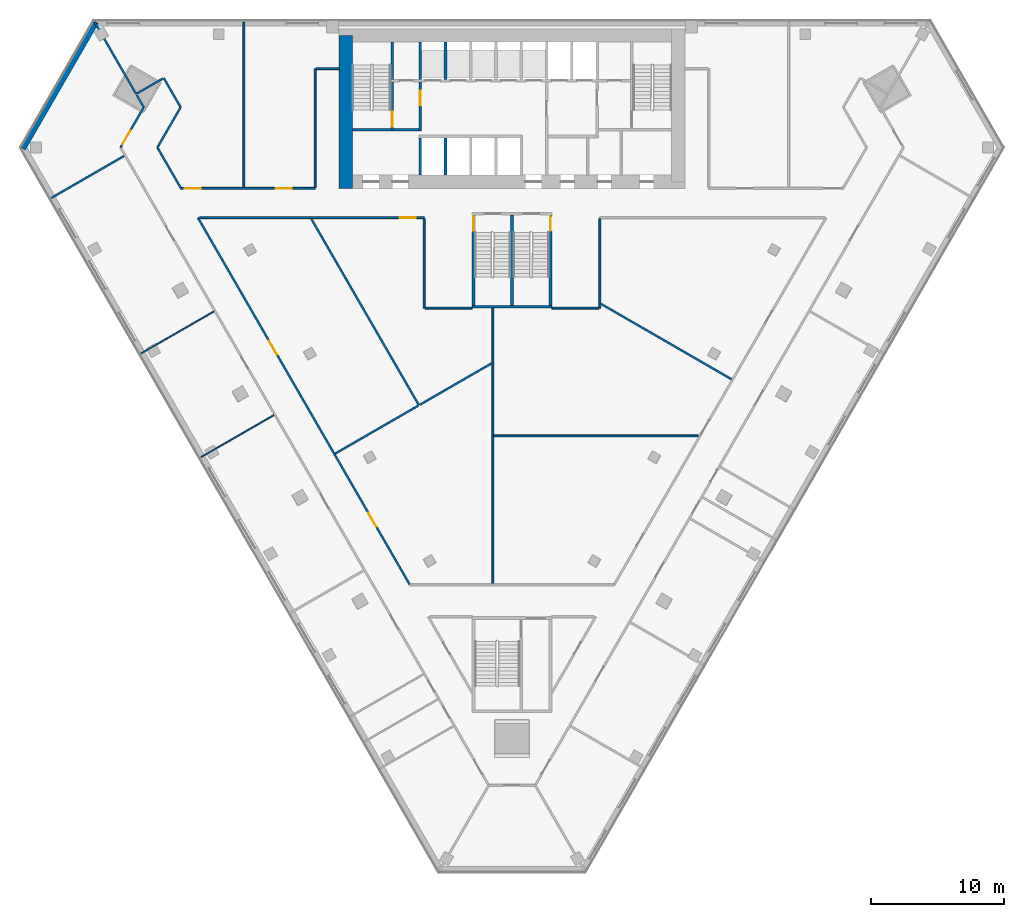
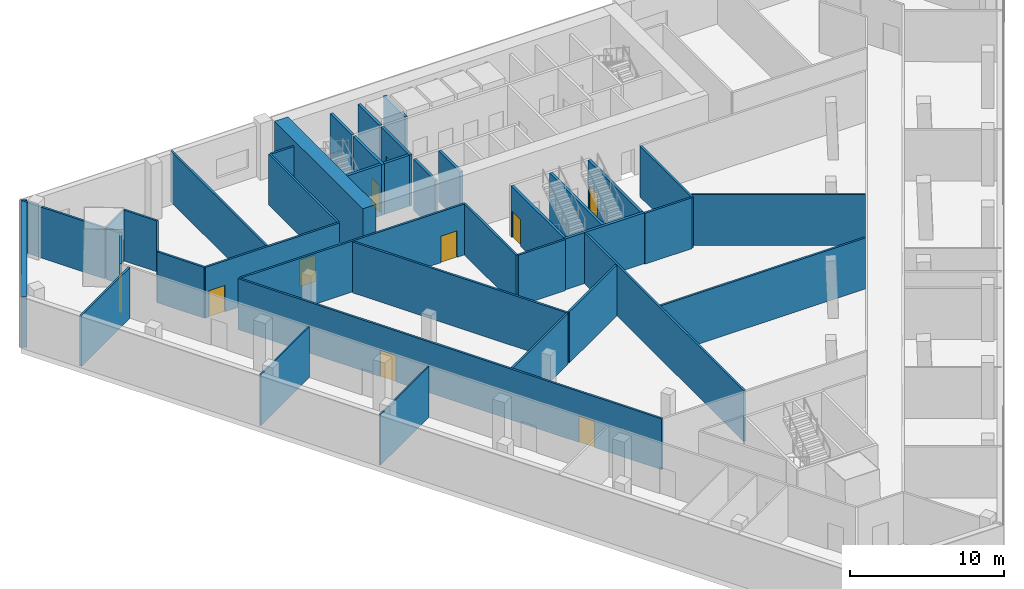
# One storey, part 4 of 9: 41 walls, 10 doors, 10 openings.
"""IFC4 building model written with IfcOpenShell, lengths in metres."""

from ifc_helpers import new_model, si_unit, direction, frame, frame_2d, origin, place, context, subcontext, project, spatial, rectangle, extrude, material, layer, layer_set, type_object, element, fill, save


model = new_model("IFC4")

# Units and contexts
model_context = context("Model", 3, precision=1e-05, world=origin(), true_north=direction((0.0, 1.0)))
body_context = subcontext(model_context, "Body", "Model", "MODEL_VIEW")
ifc_project = project(units=[si_unit("LENGTHUNIT", "METRE"), si_unit("AREAUNIT", "SQUARE_METRE"), si_unit("VOLUMEUNIT", "CUBIC_METRE"), si_unit("PLANEANGLEUNIT", "RADIAN"), si_unit("MASSUNIT", "GRAM", prefix="KILO")], contexts=[model_context])

# Site, building, storey
site_placement = place(None, origin())
site = spatial("IfcSite", under=ifc_project, at=site_placement, CompositionType="ELEMENT")
building_placement = place(site_placement, origin())
building = spatial("IfcBuilding", under=site, at=building_placement, Name="Altiplano Prism Tower", CompositionType="ELEMENT")
storey_placement = place(building_placement, frame((0.0, 0.0, 9.0)))
storey = spatial("IfcBuildingStorey", under=building, at=storey_placement, Name="L01", CompositionType="ELEMENT", Elevation=9.0)

# Walls
ifc_material_1 = material(Name="Concrete C70/85", Category="concrete")
ifc_layer_1 = layer(ifc_material_1, 1.0)
ifc_layer_set_1 = layer_set([ifc_layer_1], Name="Concrete C70/85")
wall_type_1 = type_object("IfcWallType", Name="Core wall 1000", PredefinedType="SHEAR", material=ifc_layer_set_1)
wall_1_placement = place(storey_placement, frame((72.5, 103.89990234375, 0.0), z_axis=(0.0, 0.0, 1.0), x_axis=(0.0, -1.0, 0.0)))
element("IfcWall", 1, at=wall_1_placement, inside=storey, type_object=wall_type_1, Name="Core wall W L01", PredefinedType="SHEAR", context=body_context, shape_type="SweptSolid", body=[
    extrude(rectangle(XDim=11.5, YDim=1.0, at=frame_2d((5.75, 0.0))), origin(), (0.0, 0.0, 1.0), 4.5),
])
ifc_material_2 = material(Name="Plasterboard on steel stud", Category="steel")
ifc_layer_2 = layer(ifc_material_2, 0.10009765625)
ifc_layer_set_2 = layer_set([ifc_layer_2], Name="Plasterboard on steel stud")
wall_type_2 = type_object("IfcWallType", Name="Partition 100 wet", PredefinedType="PARTITIONING", material=ifc_layer_set_2)
for number, where, z_axis, x_axis, name in (
    (2, (57.118896484375, 79.991455078125, 0.0), (0.0, 0.0, 1.0), (0.866042250622, 0.499970819286, 0.0), "Partition P03 L01 037"),
    (3, (61.618896484375, 72.197021484375, 0.0), (0.0, 0.0, 1.0), (0.866025537322, 0.499999768706, 0.0), "Partition P03 L01 038"),
):
    element("IfcWall", number, at=place(storey_placement, frame(where, z_axis=z_axis, x_axis=x_axis)), inside=storey, type_object=wall_type_2, Name=name, PredefinedType="PARTITIONING", context=body_context, shape_type="SweptSolid", body=[
        extrude(rectangle(XDim=6.3251953125, YDim=0.10009765625, at=frame_2d((3.16259765625, 0.0))), origin(), (0.0, 0.0, 1.0), 4.050048828125),
    ])
ifc_layer_3 = layer(ifc_material_2, 0.14990234375)
ifc_layer_set_3 = layer_set([ifc_layer_3], Name="Plasterboard on steel stud")
wall_type_3 = type_object("IfcWallType", Name="Partition 150 corridor", PredefinedType="PARTITIONING", material=ifc_layer_set_3)
wall_2_placement = place(storey_placement, frame((56.777587890625, 99.43505859375, 0.0), z_axis=(0.0, 0.0, 1.0), x_axis=(0.500126914667, -0.865952117167, 0.0)))
element("IfcWall", 4, at=wall_2_placement, inside=storey, type_object=wall_type_3, Name="Partition P06 L01 001", PredefinedType="PARTITIONING", context=body_context, shape_type="SweptSolid", body=[
    extrude(rectangle(XDim=1.079833984375, YDim=0.14990234375, at=frame_2d((0.5400390625, 0.0))), origin(), (0.0, 0.0, 1.0), 4.050048828125),
])

# Wall, opening, door
wall_3_placement = place(storey_placement, frame((57.317626953125, 98.5, 0.0), z_axis=(0.0, 0.0, 1.0), x_axis=(-0.500008701212, -0.866020380079, 0.0)))
wall_3 = element("IfcWall", 5, at=wall_3_placement, inside=storey, type_object=wall_type_3, Name="Partition P06 L01 002", PredefinedType="PARTITIONING", context=body_context, shape_type="SweptSolid", body=[
    extrude(rectangle(XDim=3.49462890625, YDim=0.14990234375, at=frame_2d((1.747314453125, 0.0))), origin(), (0.0, 0.0, 1.0), 4.050048828125),
])
opening_1_placement = place(wall_3_placement, frame((2.009033203125, 0.0, 0.0)))
opening_1 = element("IfcOpeningElement", 6, at=opening_1_placement, cuts=wall_3, Name="Opening D0022", PredefinedType="OPENING", context=body_context, shape_type="SweptSolid", body=[
    extrude(rectangle(XDim=1.199951171875, YDim=2.10009765625, at=frame_2d((0.60009765625, 1.050048828125))), frame((0.0, 0.08544921875, 0.0), z_axis=(0.0, -1.0, 0.0), x_axis=(1.0, 0.0, 0.0)), (0.0, 0.0, 1.0), 0.1708984375),
])
ifc_material_3 = material(Name="Timber", Category="wood")
door_type_1 = type_object("IfcDoorType", Name="Shared room door 1200 x 2100", OperationType="NOTDEFINED", PredefinedType="NOTDEFINED", material=ifc_material_3)
door_1_placement = place(opening_1_placement, origin())
door_1 = element("IfcDoor", 7, at=door_1_placement, inside=storey, type_object=door_type_1, Name="Door D0022", OperationType="SINGLE_SWING_RIGHT", OverallHeight=2.10009765625, OverallWidth=1.199951171875, PredefinedType="NOTDEFINED", context=body_context, shape_type="SweptSolid", body=[
    extrude(rectangle(XDim=1.199951171875, YDim=2.10009765625, at=frame_2d((0.60009765625, 1.050048828125))), frame((0.0, 0.02490234375, 0.0), z_axis=(0.0, -1.0, 0.0), x_axis=(1.0, 0.0, 0.0)), (0.0, 0.0, 1.0), 0.050048828125),
])
fill(opening_1, door_1)

# Walls
wall_4_placement = place(storey_placement, frame((88.0, 83.39990234375, 0.0), z_axis=(0.0, 0.0, 1.0), x_axis=(1.0, 0.0, 0.0)))
element("IfcWall", 8, at=wall_4_placement, inside=storey, type_object=wall_type_3, Name="Partition P06 L01 008", PredefinedType="PARTITIONING", context=body_context, shape_type="SweptSolid", body=[
    extrude(rectangle(XDim=3.52490234375, YDim=0.14990234375, at=frame_2d((1.762451171875, 0.0))), origin(), (0.0, 0.0, 1.0), 4.050048828125),
])
wall_5_placement = place(storey_placement, frame((91.60009765625, 83.39990234375, 0.0), z_axis=(0.0, 0.0, 1.0), x_axis=(0.0, 1.0, 0.0)))
element("IfcWall", 9, at=wall_5_placement, inside=storey, type_object=wall_type_3, Name="Partition P06 L01 011", PredefinedType="PARTITIONING", context=body_context, shape_type="SweptSolid", body=[
    extrude(rectangle(XDim=6.72509765625, YDim=0.14990234375, at=frame_2d((3.362548828125, 0.0))), origin(), (0.0, 0.0, 1.0), 4.050048828125),
])

# Wall, openings, doors
wall_6_placement = place(storey_placement, frame((77.3212890625, 62.60009765625, 0.0), z_axis=(0.0, 0.0, 1.0), x_axis=(-0.500000743568, 0.866024974485, 0.0)))
wall_6 = element("IfcWall", 10, at=wall_6_placement, inside=storey, type_object=wall_type_3, Name="Partition P06 L01 013", PredefinedType="PARTITIONING", context=body_context, shape_type="SweptSolid", body=[
    extrude(rectangle(XDim=31.86962890625, YDim=0.14990234375, at=frame_2d((15.934814453125, 0.0))), origin(), (0.0, 0.0, 1.0), 4.050048828125),
])
opening_2_placement = place(wall_6_placement, frame((19.989013671875, 0.0, 0.0)))
opening_2 = element("IfcOpeningElement", 11, at=opening_2_placement, cuts=wall_6, Name="Opening D0042", PredefinedType="OPENING", context=body_context, shape_type="SweptSolid", body=[
    extrude(rectangle(XDim=1.199951171875, YDim=2.10009765625, at=frame_2d((0.60009765625, 1.050048828125))), frame((0.0, 0.08544921875, 0.0), z_axis=(0.0, -1.0, 0.0), x_axis=(1.0, 0.0, 0.0)), (0.0, 0.0, 1.0), 0.1708984375),
])
opening_3_placement = place(wall_6_placement, frame((5.034912109375, 0.0, 0.0)))
opening_3 = element("IfcOpeningElement", 12, at=opening_3_placement, cuts=wall_6, Name="Opening D0043", PredefinedType="OPENING", context=body_context, shape_type="SweptSolid", body=[
    extrude(rectangle(XDim=1.199951171875, YDim=2.10009765625, at=frame_2d((0.60009765625, 1.050048828125))), frame((0.0, 0.08544921875, 0.0), z_axis=(0.0, -1.0, 0.0), x_axis=(1.0, 0.0, 0.0)), (0.0, 0.0, 1.0), 0.1708984375),
])
door_2_placement = place(opening_2_placement, origin())
door_2 = element("IfcDoor", 13, at=door_2_placement, inside=storey, type_object=door_type_1, Name="Door D0042", OperationType="SINGLE_SWING_LEFT", OverallHeight=2.10009765625, OverallWidth=1.199951171875, PredefinedType="NOTDEFINED", context=body_context, shape_type="SweptSolid", body=[
    extrude(rectangle(XDim=1.199951171875, YDim=2.10009765625, at=frame_2d((0.60009765625, 1.050048828125))), frame((0.0, 0.02490234375, 0.0), z_axis=(0.0, -1.0, 0.0), x_axis=(1.0, 0.0, 0.0)), (0.0, 0.0, 1.0), 0.050048828125),
])
fill(opening_2, door_2)
door_3_placement = place(opening_3_placement, origin())
door_3 = element("IfcDoor", 14, at=door_3_placement, inside=storey, type_object=door_type_1, Name="Door D0043", OperationType="SINGLE_SWING_LEFT", OverallHeight=2.10009765625, OverallWidth=1.199951171875, PredefinedType="NOTDEFINED", context=body_context, shape_type="SweptSolid", body=[
    extrude(rectangle(XDim=1.199951171875, YDim=2.10009765625, at=frame_2d((0.60009765625, 1.050048828125))), frame((0.0, 0.02490234375, 0.0), z_axis=(0.0, -1.0, 0.0), x_axis=(1.0, 0.0, 0.0)), (0.0, 0.0, 1.0), 0.050048828125),
])
fill(opening_3, door_3)

# Wall, opening, door
wall_7_placement = place(storey_placement, frame((61.516357421875, 90.199951171875, 0.0), z_axis=(0.0, 0.0, 1.0), x_axis=(1.0, 0.0, 0.0)))
wall_7 = element("IfcWall", 15, at=wall_7_placement, inside=storey, type_object=wall_type_3, Name="Partition P06 L01 014", PredefinedType="PARTITIONING", context=body_context, shape_type="SweptSolid", body=[
    extrude(rectangle(XDim=16.883544921875, YDim=0.14990234375, at=frame_2d((8.44189453125, 0.0))), origin(), (0.0, 0.0, 1.0), 4.050048828125),
])
opening_4_placement = place(wall_7_placement, frame((15.06201171875, 0.0, 0.0)))
opening_4 = element("IfcOpeningElement", 16, at=opening_4_placement, cuts=wall_7, Name="Opening D0044", PredefinedType="OPENING", context=body_context, shape_type="SweptSolid", body=[
    extrude(rectangle(XDim=1.199951171875, YDim=2.10009765625, at=frame_2d((0.60009765625, 1.050048828125))), frame((0.0, 0.08544921875, 0.0), z_axis=(0.0, -1.0, 0.0), x_axis=(1.0, 0.0, 0.0)), (0.0, 0.0, 1.0), 0.1708984375),
])
door_4_placement = place(opening_4_placement, origin())
door_4 = element("IfcDoor", 17, at=door_4_placement, inside=storey, type_object=door_type_1, Name="Door D0044", OperationType="SINGLE_SWING_LEFT", OverallHeight=2.10009765625, OverallWidth=1.199951171875, PredefinedType="NOTDEFINED", context=body_context, shape_type="SweptSolid", body=[
    extrude(rectangle(XDim=1.199951171875, YDim=2.10009765625, at=frame_2d((0.60009765625, 1.050048828125))), frame((0.0, 0.02490234375, 0.0), z_axis=(0.0, -1.0, 0.0), x_axis=(1.0, 0.0, 0.0)), (0.0, 0.0, 1.0), 0.050048828125),
])
fill(opening_4, door_4)

# Walls
wall_8_placement = place(storey_placement, frame((78.39990234375, 90.125, 0.0), z_axis=(0.0, 0.0, 1.0), x_axis=(0.0, -1.0, 0.0)))
element("IfcWall", 18, at=wall_8_placement, inside=storey, type_object=wall_type_3, Name="Partition P06 L01 015", PredefinedType="PARTITIONING", context=body_context, shape_type="SweptSolid", body=[
    extrude(rectangle(XDim=6.72509765625, YDim=0.14990234375, at=frame_2d((3.362548828125, 0.0))), origin(), (0.0, 0.0, 1.0), 4.050048828125),
])
wall_9_placement = place(storey_placement, frame((78.47509765625, 83.39990234375, 0.0), z_axis=(0.0, 0.0, 1.0), x_axis=(1.0, 0.0, 0.0)))
element("IfcWall", 19, at=wall_9_placement, inside=storey, type_object=wall_type_3, Name="Partition P06 L01 016", PredefinedType="PARTITIONING", context=body_context, shape_type="SweptSolid", body=[
    extrude(rectangle(XDim=3.52490234375, YDim=0.14990234375, at=frame_2d((1.762451171875, 0.0))), origin(), (0.0, 0.0, 1.0), 4.050048828125),
])
wall_10_placement = place(storey_placement, frame((60.1162109375, 92.39990234375, 0.0), z_axis=(0.0, 0.0, 1.0), x_axis=(-0.500008260065, 0.866020634781, 0.0)))
element("IfcWall", 20, at=wall_10_placement, inside=storey, type_object=wall_type_3, Name="Partition P06 L01 017", PredefinedType="PARTITIONING", context=body_context, shape_type="SweptSolid", body=[
    extrude(rectangle(XDim=3.54931640625, YDim=0.14990234375, at=frame_2d((1.774658203125, 0.0))), origin(), (0.0, 0.0, 1.0), 4.050048828125),
])
wall_11_placement = place(storey_placement, frame((58.341552734375, 95.4736328125, 0.0), z_axis=(0.0, 0.0, 1.0), x_axis=(0.500008701212, 0.866020380079, 0.0)))
element("IfcWall", 21, at=wall_11_placement, inside=storey, type_object=wall_type_3, Name="Partition P06 L01 018", PredefinedType="PARTITIONING", context=body_context, shape_type="SweptSolid", body=[
    extrude(rectangle(XDim=3.49462890625, YDim=0.14990234375, at=frame_2d((1.747314453125, 0.0))), origin(), (0.0, 0.0, 1.0), 4.050048828125),
])
wall_12_placement = place(storey_placement, frame((60.0888671875, 98.5, 0.0), z_axis=(0.0, 0.0, 1.0), x_axis=(-0.500035802948, 0.866004731956, 0.0)))
element("IfcWall", 22, at=wall_12_placement, inside=storey, type_object=wall_type_3, Name="Partition P06 L01 019", PredefinedType="PARTITIONING", context=body_context, shape_type="SweptSolid", body=[
    extrude(rectangle(XDim=2.540283203125, YDim=0.14990234375, at=frame_2d((1.27001953125, 0.0))), origin(), (0.0, 0.0, 1.0), 4.050048828125),
])
wall_13_placement = place(storey_placement, frame((58.753662109375, 100.66259765625, 0.0), z_axis=(0.0, 0.0, 1.0), x_axis=(-0.866017533419, -0.500013631625, 0.0)))
element("IfcWall", 23, at=wall_13_placement, inside=storey, type_object=wall_type_3, Name="Partition P06 L01 020", PredefinedType="PARTITIONING", context=body_context, shape_type="SweptSolid", body=[
    extrude(rectangle(XDim=2.25, YDim=0.14990234375, at=frame_2d((1.125, 0.0))), origin(), (0.0, 0.0, 1.0), 4.050048828125),
])
wall_14_placement = place(storey_placement, frame((72.0, 101.39990234375, 0.0), z_axis=(0.0, 0.0, 1.0), x_axis=(-1.0, 0.0, 0.0)))
element("IfcWall", 24, at=wall_14_placement, inside=storey, type_object=wall_type_3, Name="Partition P06 L01 028", PredefinedType="PARTITIONING", context=body_context, shape_type="SweptSolid", body=[
    extrude(rectangle(XDim=1.72509765625, YDim=0.14990234375, at=frame_2d((0.862548828125, 0.0))), origin(), (0.0, 0.0, 1.0), 4.050048828125),
])
wall_15_placement = place(storey_placement, frame((70.199951171875, 101.39990234375, 0.0), z_axis=(0.0, 0.0, 1.0), x_axis=(0.0, -1.0, 0.0)))
element("IfcWall", 25, at=wall_15_placement, inside=storey, type_object=wall_type_3, Name="Partition P06 L01 029", PredefinedType="PARTITIONING", context=body_context, shape_type="SweptSolid", body=[
    extrude(rectangle(XDim=8.9248046875, YDim=0.14990234375, at=frame_2d((4.46240234375, 0.0))), origin(), (0.0, 0.0, 1.0), 4.050048828125),
])

# Wall, openings, doors
wall_16_placement = place(storey_placement, frame((70.199951171875, 92.39990234375, 0.0), z_axis=(0.0, 0.0, 1.0), x_axis=(-1.0, 0.0, 0.0)))
wall_16 = element("IfcWall", 26, at=wall_16_placement, inside=storey, type_object=wall_type_3, Name="Partition P06 L01 030", PredefinedType="PARTITIONING", context=body_context, shape_type="SweptSolid", body=[
    extrude(rectangle(XDim=10.083740234375, YDim=0.14990234375, at=frame_2d((5.0419921875, 0.0))), origin(), (0.0, 0.0, 1.0), 4.050048828125),
])
opening_5_placement = place(wall_16_placement, frame((8.60693359375, 0.0, 0.0)))
opening_5 = element("IfcOpeningElement", 27, at=opening_5_placement, cuts=wall_16, Name="Opening D0045", PredefinedType="OPENING", context=body_context, shape_type="SweptSolid", body=[
    extrude(rectangle(XDim=1.199951171875, YDim=2.10009765625, at=frame_2d((0.60009765625, 1.050048828125))), frame((0.0, 0.08544921875, 0.0), z_axis=(0.0, -1.0, 0.0), x_axis=(1.0, 0.0, 0.0)), (0.0, 0.0, 1.0), 0.1708984375),
])
opening_6_placement = place(wall_16_placement, frame((1.761962890625, 0.0, 0.0)))
opening_6 = element("IfcOpeningElement", 28, at=opening_6_placement, cuts=wall_16, Name="Opening D0048", PredefinedType="OPENING", context=body_context, shape_type="SweptSolid", body=[
    extrude(rectangle(XDim=1.199951171875, YDim=2.10009765625, at=frame_2d((0.60009765625, 1.050048828125))), frame((0.0, 0.08544921875, 0.0), z_axis=(0.0, -1.0, 0.0), x_axis=(1.0, 0.0, 0.0)), (0.0, 0.0, 1.0), 0.1708984375),
])
door_5_placement = place(opening_5_placement, origin())
door_5 = element("IfcDoor", 29, at=door_5_placement, inside=storey, type_object=door_type_1, Name="Door D0045", OperationType="SINGLE_SWING_RIGHT", OverallHeight=2.10009765625, OverallWidth=1.199951171875, PredefinedType="NOTDEFINED", context=body_context, shape_type="SweptSolid", body=[
    extrude(rectangle(XDim=1.199951171875, YDim=2.10009765625, at=frame_2d((0.60009765625, 1.050048828125))), frame((0.0, 0.02490234375, 0.0), z_axis=(0.0, -1.0, 0.0), x_axis=(1.0, 0.0, 0.0)), (0.0, 0.0, 1.0), 0.050048828125),
])
fill(opening_5, door_5)
door_6_placement = place(opening_6_placement, origin())
door_6 = element("IfcDoor", 30, at=door_6_placement, inside=storey, type_object=door_type_1, Name="Door D0048", OperationType="SINGLE_SWING_RIGHT", OverallHeight=2.10009765625, OverallWidth=1.199951171875, PredefinedType="NOTDEFINED", context=body_context, shape_type="SweptSolid", body=[
    extrude(rectangle(XDim=1.199951171875, YDim=2.10009765625, at=frame_2d((0.60009765625, 1.050048828125))), frame((0.0, 0.02490234375, 0.0), z_axis=(0.0, -1.0, 0.0), x_axis=(1.0, 0.0, 0.0)), (0.0, 0.0, 1.0), 0.050048828125),
])
fill(opening_6, door_6)

# Walls
ifc_layer_4 = layer(ifc_material_2, 0.14990234375)
ifc_layer_set_4 = layer_set([ifc_layer_4], Name="Plasterboard on steel stud")
wall_type_4 = type_object("IfcWallType", Name="Partition 150 party", PredefinedType="PARTITIONING", material=ifc_layer_set_4)
wall_17_placement = place(storey_placement, frame((50.368896484375, 91.6826171875, 0.0), z_axis=(0.0, 0.0, 1.0), x_axis=(0.866025537322, 0.499999768706, 0.0)))
element("IfcWall", 31, at=wall_17_placement, inside=storey, type_object=wall_type_4, Name="Partition P01 L01 035", PredefinedType="PARTITIONING", context=body_context, shape_type="SweptSolid", body=[
    extrude(rectangle(XDim=6.3251953125, YDim=0.14990234375, at=frame_2d((3.16259765625, 0.0))), origin(), (0.0, 0.0, 1.0), 4.050048828125),
])
wall_18_placement = place(storey_placement, frame((56.740234375, 99.5, 0.0), z_axis=(0.0, 0.0, 1.0), x_axis=(-0.500004896655, 0.866022576681, 0.0)))
element("IfcWall", 32, at=wall_18_placement, inside=storey, type_object=wall_type_4, Name="Partition P01 L01 036", PredefinedType="PARTITIONING", context=body_context, shape_type="SweptSolid", body=[
    extrude(rectangle(XDim=6.2353515625, YDim=0.14990234375, at=frame_2d((3.11767578125, 0.0))), origin(), (0.0, 0.0, 1.0), 4.050048828125),
])
wall_19_placement = place(storey_placement, frame((83.62841796875, 73.794189453125, 0.0), z_axis=(0.0, 0.0, 1.0), x_axis=(1.0, 0.0, 0.0)))
element("IfcWall", 33, at=wall_19_placement, inside=storey, type_object=wall_type_4, Name="Partition P01 L01 053", PredefinedType="PARTITIONING", context=body_context, shape_type="SweptSolid", body=[
    extrude(rectangle(XDim=15.383544921875, YDim=0.14990234375, at=frame_2d((7.69189453125, 0.0))), origin(), (0.0, 0.0, 1.0), 4.050048828125),
])
wall_20_placement = place(storey_placement, frame((101.511474609375, 78.048583984375, 0.0), z_axis=(0.0, 0.0, 1.0), x_axis=(-0.866026410534, 0.499998256255, 0.0)))
element("IfcWall", 34, at=wall_20_placement, inside=storey, type_object=wall_type_4, Name="Partition P01 L01 054", PredefinedType="PARTITIONING", context=body_context, shape_type="SweptSolid", body=[
    extrude(rectangle(XDim=11.31494140625, YDim=0.14990234375, at=frame_2d((5.657470703125, 0.0))), origin(), (0.0, 0.0, 1.0), 4.050048828125),
])
wall_21_placement = place(storey_placement, frame((83.553466796875, 83.39990234375, 0.0), z_axis=(0.0, 0.0, 1.0), x_axis=(0.0, -1.0, 0.0)))
element("IfcWall", 35, at=wall_21_placement, inside=storey, type_object=wall_type_4, Name="Partition P01 L01 055", PredefinedType="PARTITIONING", context=body_context, shape_type="SweptSolid", body=[
    extrude(rectangle(XDim=20.724853515625, YDim=0.14990234375, at=frame_2d((10.3623046875, 0.0))), origin(), (0.0, 0.0, 1.0), 4.050048828125),
])
wall_22_placement = place(storey_placement, frame((71.712890625, 72.464111328125, 0.0), z_axis=(0.0, 0.0, 1.0), x_axis=(0.866019324312, 0.500010529808, 0.0)))
element("IfcWall", 36, at=wall_22_placement, inside=storey, type_object=wall_type_4, Name="Partition P01 L01 056", PredefinedType="PARTITIONING", context=body_context, shape_type="SweptSolid", body=[
    extrude(rectangle(XDim=7.189208984375, YDim=0.14990234375, at=frame_2d((3.5947265625, 0.0))), origin(), (0.0, 0.0, 1.0), 4.050048828125),
])
wall_23_placement = place(storey_placement, frame((78.00390625, 76.09619140625, 0.0), z_axis=(0.0, 0.0, 1.0), x_axis=(-0.500002388863, 0.86602402457, 0.0)))
element("IfcWall", 37, at=wall_23_placement, inside=storey, type_object=wall_type_4, Name="Partition P01 L01 057", PredefinedType="PARTITIONING", context=body_context, shape_type="SweptSolid", body=[
    extrude(rectangle(XDim=16.15576171875, YDim=0.14990234375, at=frame_2d((8.077880859375, 0.0))), origin(), (0.0, 0.0, 1.0), 4.050048828125),
])
wall_24_placement = place(storey_placement, frame((83.44091796875, 79.2353515625, 0.0), z_axis=(0.0, 0.0, 1.0), x_axis=(-0.866025664929, -0.499999547685, 0.0)))
element("IfcWall", 38, at=wall_24_placement, inside=storey, type_object=wall_type_4, Name="Partition P01 L01 058", PredefinedType="PARTITIONING", context=body_context, shape_type="SweptSolid", body=[
    extrude(rectangle(XDim=6.203125, YDim=0.14990234375, at=frame_2d((3.1015625, 0.0))), origin(), (0.0, 0.0, 1.0), 4.050048828125),
])
wall_25_placement = place(storey_placement, frame((64.849609375, 92.47509765625, 0.0), z_axis=(0.0, 0.0, 1.0), x_axis=(0.0, 1.0, 0.0)))
element("IfcWall", 39, at=wall_25_placement, inside=storey, type_object=wall_type_4, Name="Partition P01 L01 059", PredefinedType="PARTITIONING", context=body_context, shape_type="SweptSolid", body=[
    extrude(rectangle(XDim=12.4248046875, YDim=0.14990234375, at=frame_2d((6.21240234375, 0.0))), origin(), (0.0, 0.0, 1.0), 4.050048828125),
])
ifc_material_4 = material(Name="Concrete C60/75", Category="concrete")
ifc_layer_5 = layer(ifc_material_4, 0.199951171875)
ifc_layer_set_5 = layer_set([ifc_layer_5], Name="Concrete C60/75")
wall_type_5 = type_object("IfcWallType", Name="Shaft wall 200", PredefinedType="SOLIDWALL", material=ifc_layer_set_5)
for number, where, z_axis, x_axis, name in (
    (40, (78.10009765625, 93.39990234375, 0.0), (0.0, 0.0, 1.0), (0.0, 1.0, 0.0), "Shaft wall L01"),
    (41, (80.0, 93.39990234375, 0.0), (0.0, 0.0, 1.0), (0.0, 1.0, 0.0), "Shaft wall L01"),
):
    element("IfcWall", number, at=place(storey_placement, frame(where, z_axis=z_axis, x_axis=x_axis)), inside=storey, type_object=wall_type_5, Name=name, PredefinedType="SOLIDWALL", context=body_context, shape_type="SweptSolid", body=[
        extrude(rectangle(XDim=2.800048828125, YDim=0.199951171875, at=frame_2d((1.39990234375, 0.0))), origin(), (0.0, 0.0, 1.0), 4.050048828125),
    ])
for number, where, z_axis, x_axis, name in (
    (42, (78.10009765625, 100.60009765625, 0.0), (0.0, 0.0, 1.0), (0.0, 1.0, 0.0), "Shaft wall L01"),
    (43, (80.0, 100.60009765625, 0.0), (0.0, 0.0, 1.0), (0.0, 1.0, 0.0), "Shaft wall L01"),
):
    element("IfcWall", number, at=place(storey_placement, frame(where, z_axis=z_axis, x_axis=x_axis)), inside=storey, type_object=wall_type_5, Name=name, PredefinedType="SOLIDWALL", context=body_context, shape_type="SweptSolid", body=[
        extrude(rectangle(XDim=2.7998046875, YDim=0.199951171875, at=frame_2d((1.39990234375, 0.0))), origin(), (0.0, 0.0, 1.0), 4.050048828125),
    ])
ifc_layer_6 = layer(ifc_material_4, 0.199951171875)
ifc_layer_set_6 = layer_set([ifc_layer_6], Name="Concrete C60/75")
wall_type_6 = type_object("IfcWallType", Name="Stair wall 200", PredefinedType="SOLIDWALL", material=ifc_layer_set_6)
wall_26_placement = place(storey_placement, frame((73.0, 96.800048828125, 0.0), z_axis=(0.0, 0.0, 1.0), x_axis=(1.0, 0.0, 0.0)))
element("IfcWall", 44, at=wall_26_placement, inside=storey, type_object=wall_type_6, Name="Stair wall L01", PredefinedType="SOLIDWALL", context=body_context, shape_type="SweptSolid", body=[
    extrude(rectangle(XDim=2.89990234375, YDim=0.199951171875, at=frame_2d((1.449951171875, 0.0))), origin(), (0.0, 0.0, 1.0), 4.050048828125),
])

# Wall, opening, door
wall_27_placement = place(storey_placement, frame((76.0, 96.699951171875, 0.0), z_axis=(0.0, 0.0, 1.0), x_axis=(0.0, 1.0, 0.0)))
wall_27 = element("IfcWall", 45, at=wall_27_placement, inside=storey, type_object=wall_type_6, Name="Stair wall L01", PredefinedType="SOLIDWALL", context=body_context, shape_type="SweptSolid", body=[
    extrude(rectangle(XDim=3.699951171875, YDim=0.199951171875, at=frame_2d((1.85009765625, 0.0))), origin(), (0.0, 0.0, 1.0), 4.050048828125),
])
opening_7_placement = place(wall_27_placement, frame((0.35009765625, 0.0, 0.0)))
opening_7 = element("IfcOpeningElement", 46, at=opening_7_placement, cuts=wall_27, Name="Opening D2600", PredefinedType="OPENING", context=body_context, shape_type="SweptSolid", body=[
    extrude(rectangle(XDim=1.10009765625, YDim=2.10009765625, at=frame_2d((0.550048828125, 1.050048828125))), frame((0.0, 0.1103515625, 0.0), z_axis=(0.0, -1.0, 0.0), x_axis=(1.0, 0.0, 0.0)), (0.0, 0.0, 1.0), 0.220947265625),
])
ifc_material_5 = material(Name="Fire-rated steel door", Category="steel")
door_type_2 = type_object("IfcDoorType", Name="Stair fire door 1100 x 2100", OperationType="NOTDEFINED", PredefinedType="NOTDEFINED", material=ifc_material_5)
door_7_placement = place(opening_7_placement, origin())
door_7 = element("IfcDoor", 47, at=door_7_placement, inside=storey, type_object=door_type_2, Name="Stair fire door D2600", OperationType="SINGLE_SWING_RIGHT", OverallHeight=2.10009765625, OverallWidth=1.10009765625, PredefinedType="NOTDEFINED", context=body_context, shape_type="SweptSolid", body=[
    extrude(rectangle(XDim=1.10009765625, YDim=2.10009765625, at=frame_2d((0.550048828125, 1.050048828125))), frame((0.0, 0.02490234375, 0.0), z_axis=(0.0, -1.0, 0.0), x_axis=(1.0, 0.0, 0.0)), (0.0, 0.0, 1.0), 0.050048828125),
])
fill(opening_7, door_7)

# Walls
wall_28_placement = place(storey_placement, frame((76.0, 100.60009765625, 0.0), z_axis=(0.0, 0.0, 1.0), x_axis=(0.0, 1.0, 0.0)))
element("IfcWall", 48, at=wall_28_placement, inside=storey, type_object=wall_type_6, Name="Stair wall L01", PredefinedType="SOLIDWALL", context=body_context, shape_type="SweptSolid", body=[
    extrude(rectangle(XDim=2.7998046875, YDim=0.199951171875, at=frame_2d((1.39990234375, 0.0))), origin(), (0.0, 0.0, 1.0), 4.050048828125),
])
wall_29_placement = place(storey_placement, frame((82.0, 83.5, 0.0), z_axis=(0.0, 0.0, 1.0), x_axis=(1.0, 0.0, 0.0)))
element("IfcWall", 49, at=wall_29_placement, inside=storey, type_object=wall_type_6, Name="Stair 3 wall south L01", PredefinedType="SOLIDWALL", context=body_context, shape_type="SweptSolid", body=[
    extrude(rectangle(XDim=6.0, YDim=0.199951171875, at=frame_2d((3.0, 0.0))), origin(), (0.0, 0.0, 1.0), 4.050048828125),
])

# Wall, opening, door
wall_30_placement = place(storey_placement, frame((82.10009765625, 83.60009765625, 0.0), z_axis=(0.0, 0.0, 1.0), x_axis=(0.0, 1.0, 0.0)))
wall_30 = element("IfcWall", 50, at=wall_30_placement, inside=storey, type_object=wall_type_6, Name="Stair 3 wall west L01", PredefinedType="SOLIDWALL", context=body_context, shape_type="SweptSolid", body=[
    extrude(rectangle(XDim=6.7998046875, YDim=0.199951171875, at=frame_2d((3.39990234375, 0.0))), origin(), (0.0, 0.0, 1.0), 4.050048828125),
])
opening_8_placement = place(wall_30_placement, frame((5.60009765625, 0.0, 0.0)))
opening_8 = element("IfcOpeningElement", 51, at=opening_8_placement, cuts=wall_30, Name="Opening D3917", PredefinedType="OPENING", context=body_context, shape_type="SweptSolid", body=[
    extrude(rectangle(XDim=1.10009765625, YDim=2.10009765625, at=frame_2d((0.550048828125, 1.050048828125))), frame((0.0, 0.1103515625, 0.0), z_axis=(0.0, -1.0, 0.0), x_axis=(1.0, 0.0, 0.0)), (0.0, 0.0, 1.0), 0.220947265625),
])
door_8_placement = place(opening_8_placement, origin())
door_8 = element("IfcDoor", 52, at=door_8_placement, inside=storey, type_object=door_type_2, Name="Stair fire door D3917", OperationType="SINGLE_SWING_LEFT", OverallHeight=2.10009765625, OverallWidth=1.10009765625, PredefinedType="NOTDEFINED", context=body_context, shape_type="SweptSolid", body=[
    extrude(rectangle(XDim=1.10009765625, YDim=2.10009765625, at=frame_2d((0.550048828125, 1.050048828125))), frame((0.0, 0.02490234375, 0.0), z_axis=(0.0, -1.0, 0.0), x_axis=(1.0, 0.0, 0.0)), (0.0, 0.0, 1.0), 0.050048828125),
])
fill(opening_8, door_8)

wall_31_placement = place(storey_placement, frame((87.89990234375, 83.60009765625, 0.0), z_axis=(0.0, 0.0, 1.0), x_axis=(0.0, 1.0, 0.0)))
wall_31 = element("IfcWall", 53, at=wall_31_placement, inside=storey, type_object=wall_type_6, Name="Stair 3 wall east L01", PredefinedType="SOLIDWALL", context=body_context, shape_type="SweptSolid", body=[
    extrude(rectangle(XDim=6.7998046875, YDim=0.199951171875, at=frame_2d((3.39990234375, 0.0))), origin(), (0.0, 0.0, 1.0), 4.050048828125),
])
opening_9_placement = place(wall_31_placement, frame((5.60009765625, 0.0, 0.0)))
opening_9 = element("IfcOpeningElement", 54, at=opening_9_placement, cuts=wall_31, Name="Opening D3919", PredefinedType="OPENING", context=body_context, shape_type="SweptSolid", body=[
    extrude(rectangle(XDim=1.10009765625, YDim=2.10009765625, at=frame_2d((0.550048828125, 1.050048828125))), frame((0.0, 0.1103515625, 0.0), z_axis=(0.0, -1.0, 0.0), x_axis=(1.0, 0.0, 0.0)), (0.0, 0.0, 1.0), 0.220947265625),
])
door_9_placement = place(opening_9_placement, frame((1.10009765625, 0.0, 0.0), z_axis=(0.0, 0.0, 1.0), x_axis=(-1.0, 0.0, 0.0)))
door_9 = element("IfcDoor", 55, at=door_9_placement, inside=storey, type_object=door_type_2, Name="Stair fire door D3919", OperationType="SINGLE_SWING_LEFT", OverallHeight=2.10009765625, OverallWidth=1.10009765625, PredefinedType="NOTDEFINED", context=body_context, shape_type="SweptSolid", body=[
    extrude(rectangle(XDim=1.10009765625, YDim=2.10009765625, at=frame_2d((0.550048828125, 1.050048828125))), frame((0.0, 0.02490234375, 0.0), z_axis=(0.0, -1.0, 0.0), x_axis=(1.0, 0.0, 0.0)), (0.0, 0.0, 1.0), 0.050048828125),
])
fill(opening_9, door_9)

# Walls
wall_32_placement = place(storey_placement, frame((85.0, 83.60009765625, 0.0), z_axis=(0.0, 0.0, 1.0), x_axis=(0.0, 1.0, 0.0)))
element("IfcWall", 56, at=wall_32_placement, inside=storey, type_object=wall_type_6, Name="Stair 3 wall divider L01", PredefinedType="SOLIDWALL", context=body_context, shape_type="SweptSolid", body=[
    extrude(rectangle(XDim=6.7998046875, YDim=0.199951171875, at=frame_2d((3.39990234375, 0.0))), origin(), (0.0, 0.0, 1.0), 4.050048828125),
])
ifc_material_6 = material(Name="Concrete C40", Category="concrete")
ifc_layer_7 = layer(ifc_material_6, 0.39990234375)
ifc_layer_set_7 = layer_set([ifc_layer_7], Name="Concrete C40")
wall_type_7 = type_object("IfcWallType", Name="Stone-clad podium wall 400", PredefinedType="SOLIDWALL", material=ifc_layer_set_7)
wall_33_placement = place(storey_placement, frame((48.238037109375, 95.373779296875, 0.0), z_axis=(0.0, 0.0, 1.0), x_axis=(0.50000615651, 0.866021849293, 0.0)))
element("IfcWall", 57, at=wall_33_placement, inside=storey, type_object=wall_type_7, Name="External wall north-west chamfer L01", PredefinedType="SOLIDWALL", context=body_context, shape_type="SweptSolid", body=[
    extrude(rectangle(XDim=10.999755859375, YDim=0.39990234375, at=frame_2d((5.5, 0.0))), origin(), (0.0, 0.0, 1.0), 4.050048828125),
])
ifc_layer_8 = layer(ifc_material_4, 0.199951171875)
ifc_layer_set_8 = layer_set([ifc_layer_8], Name="Concrete C60/75")
wall_type_8 = type_object("IfcWallType", Name="Vestibule wall 200", PredefinedType="PARTITIONING", material=ifc_layer_set_8)
wall_34_placement = place(storey_placement, frame((76.10009765625, 96.800048828125, 0.0), z_axis=(0.0, 0.0, 1.0), x_axis=(1.0, 0.0, 0.0)))
element("IfcWall", 58, at=wall_34_placement, inside=storey, type_object=wall_type_8, Name="Vestibule wall L01", PredefinedType="PARTITIONING", context=body_context, shape_type="SweptSolid", body=[
    extrude(rectangle(XDim=1.89990234375, YDim=0.199951171875, at=frame_2d((0.949951171875, 0.0))), origin(), (0.0, 0.0, 1.0), 4.050048828125),
])

# Wall, opening, door
wall_35_placement = place(storey_placement, frame((78.10009765625, 96.699951171875, 0.0), z_axis=(0.0, 0.0, 1.0), x_axis=(0.0, 1.0, 0.0)))
wall_35 = element("IfcWall", 59, at=wall_35_placement, inside=storey, type_object=wall_type_8, Name="Vestibule wall L01", PredefinedType="PARTITIONING", context=body_context, shape_type="SweptSolid", body=[
    extrude(rectangle(XDim=3.699951171875, YDim=0.199951171875, at=frame_2d((1.85009765625, 0.0))), origin(), (0.0, 0.0, 1.0), 4.050048828125),
])
opening_10_placement = place(wall_35_placement, frame((1.949951171875, 0.0, 0.0)))
opening_10 = element("IfcOpeningElement", 60, at=opening_10_placement, cuts=wall_35, Name="Opening D2602", PredefinedType="OPENING", context=body_context, shape_type="SweptSolid", body=[
    extrude(rectangle(XDim=1.10009765625, YDim=2.10009765625, at=frame_2d((0.550048828125, 1.050048828125))), frame((0.0, 0.1103515625, 0.0), z_axis=(0.0, -1.0, 0.0), x_axis=(1.0, 0.0, 0.0)), (0.0, 0.0, 1.0), 0.220947265625),
])
door_type_3 = type_object("IfcDoorType", Name="Vestibule fire door 1100 x 2100", OperationType="NOTDEFINED", PredefinedType="NOTDEFINED", material=ifc_material_5)
door_10_placement = place(opening_10_placement, origin())
door_10 = element("IfcDoor", 61, at=door_10_placement, inside=storey, type_object=door_type_3, Name="Vestibule fire door D2602", OperationType="SINGLE_SWING_LEFT", OverallHeight=2.10009765625, OverallWidth=1.10009765625, PredefinedType="NOTDEFINED", context=body_context, shape_type="SweptSolid", body=[
    extrude(rectangle(XDim=1.10009765625, YDim=2.10009765625, at=frame_2d((0.550048828125, 1.050048828125))), frame((0.0, 0.02490234375, 0.0), z_axis=(0.0, -1.0, 0.0), x_axis=(1.0, 0.0, 0.0)), (0.0, 0.0, 1.0), 0.050048828125),
])
fill(opening_10, door_10)

save(model, "model.ifc")
